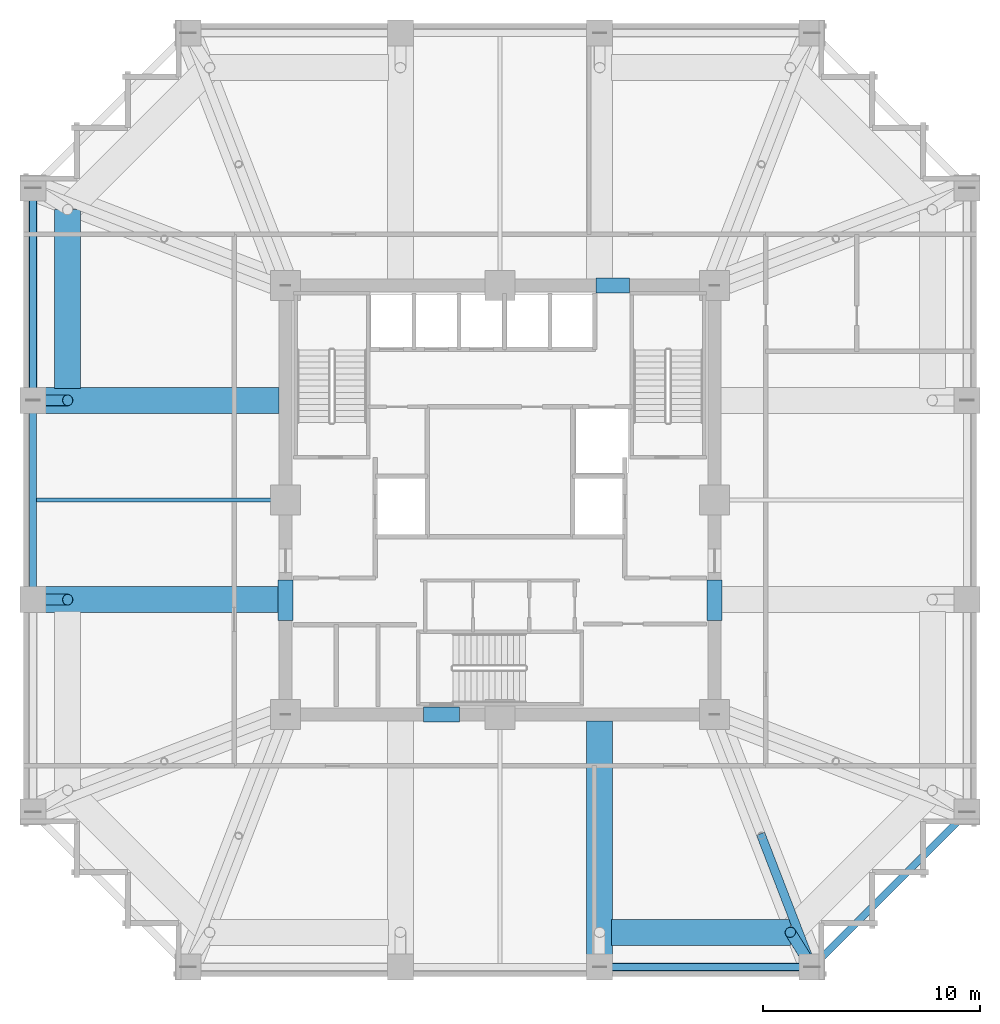
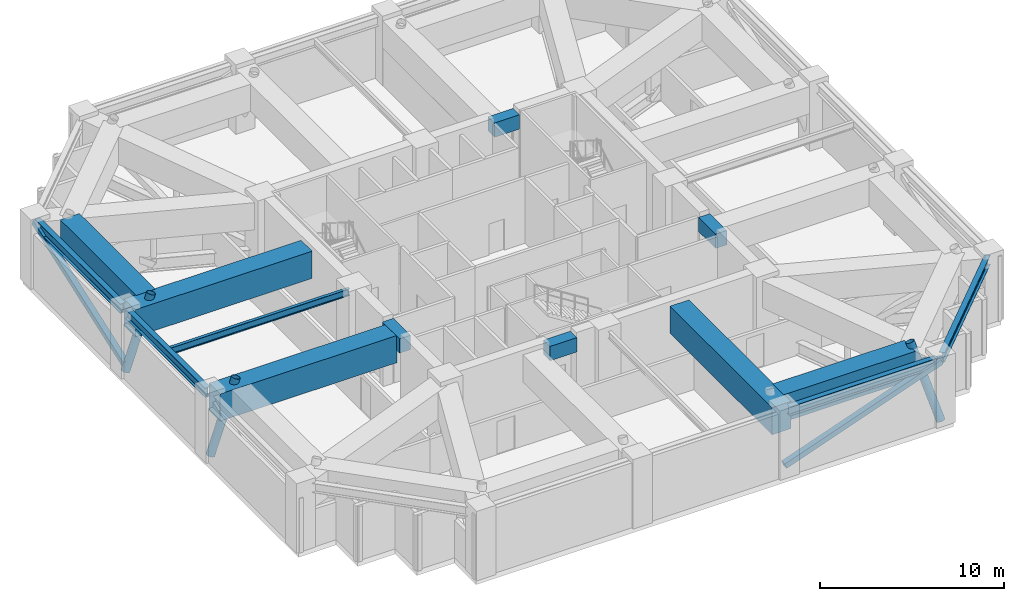
# One storey, part 3 of 15: 14 beams, 6 members.
"""IFC4 building model written with IfcOpenShell, lengths in metres."""

import ifcopenshell
import ifcopenshell.guid

model = None  # the IFC model being written
_history = None  # IfcOwnerHistory: only IFC2X3 demands one
_inside = {}  # id of a spatial element -> (the spatial element, [elements in it])
_under = {}  # id of a project, library or spatial element -> (it, [spatial elements below it])
_declared = {}  # id of a project -> (the project, [libraries it declares])
_typed = {}  # id of a type object -> (the type object, [elements of that type])
_made_of = {}  # id of a material, layer set ... -> (it, [elements and type objects made of it])


def new_model(schema):
    """Start an empty IFC model of exactly this schema.

    Asked for "IFC4X3", IfcOpenShell would pick the latest addendum, in which some entities
    have other attributes; the version numbers below select the first issue.
    IFC2X3 requires an IfcOwnerHistory on every rooted entity: one is made here for all.
    """
    global model, _history
    if schema == "IFC4X3":
        model = ifcopenshell.file(schema_version=(4, 3, 0, 0))
    else:
        model = ifcopenshell.file(schema=schema)
    _inside.clear()
    _under.clear()
    _declared.clear()
    _typed.clear()
    _made_of.clear()
    _history = None
    if model.schema == "IFC2X3":
        org = make("IfcOrganization", Name="unknown")
        user = make(
            "IfcPersonAndOrganization",
            ThePerson=make("IfcPerson", FamilyName="unknown"),
            TheOrganization=org,
        )
        app = make(
            "IfcApplication",
            ApplicationDeveloper=org,
            Version="unknown",
            ApplicationFullName="unknown",
            ApplicationIdentifier="unknown",
        )
        _history = make(
            "IfcOwnerHistory",
            OwningUser=user,
            OwningApplication=app,
            ChangeAction="ADDED",
            CreationDate=0,
        )
    return model


def make(cls, **values):
    """One entity of the class cls with the attributes given. An attribute that is None is left unset."""
    return model.create_entity(
        cls, **{name: value for name, value in values.items() if value is not None}
    )


def rooted(cls, **values):
    """An entity with a GlobalId (a new one), such as an element, a storey or a relation."""
    return make(cls, GlobalId=ifcopenshell.guid.new(), OwnerHistory=_history, **values)


def si_unit(unit_type, name, prefix=None):
    """IfcSIUnit, for example si_unit("LENGTHUNIT", "METRE", prefix="MILLI")."""
    return make("IfcSIUnit", UnitType=unit_type, Prefix=prefix, Name=name)


def assignment(units):
    """IfcUnitAssignment: the units of a project."""
    return None if units is None else make("IfcUnitAssignment", Units=units)


def point(xyz):
    """IfcCartesianPoint."""
    return None if xyz is None else make("IfcCartesianPoint", Coordinates=xyz)


def direction(xyz):
    """IfcDirection."""
    return None if xyz is None else make("IfcDirection", DirectionRatios=xyz)


def frame(location, z_axis=None, x_axis=None):
    """IfcAxis2Placement3D, a coordinate frame: its origin and axes. An axis left out is left unset."""
    return make(
        "IfcAxis2Placement3D",
        Location=point(location),
        Axis=direction(z_axis),
        RefDirection=direction(x_axis),
    )


def frame_2d(location, x_axis=None):
    """IfcAxis2Placement2D, a coordinate frame in the plane: its origin and x axis."""
    return make(
        "IfcAxis2Placement2D", Location=point(location), RefDirection=direction(x_axis)
    )


def origin():
    """The frame at (0, 0, 0) with its axes left unset."""
    return frame((0.0, 0.0, 0.0))


def origin_2d():
    """The frame at (0, 0) in the plane with its x axis left unset."""
    return frame_2d((0.0, 0.0))


def place(relative_to, where):
    """IfcLocalPlacement: puts the frame where relative to a parent placement (None: the world)."""
    return make(
        "IfcLocalPlacement", PlacementRelTo=relative_to, RelativePlacement=where
    )


def context(
    kind, dimensions, precision=None, world=None, true_north=None, identifier=None
):
    """IfcGeometricRepresentationContext, for example the 3D "Model" context."""
    return make(
        "IfcGeometricRepresentationContext",
        ContextIdentifier=identifier,
        ContextType=kind,
        CoordinateSpaceDimension=dimensions,
        Precision=precision,
        WorldCoordinateSystem=world,
        TrueNorth=true_north,
    )


def subcontext(parent, identifier, kind, view, scale=None):
    """IfcGeometricRepresentationSubContext, for example "Body" below "Model"."""
    return make(
        "IfcGeometricRepresentationSubContext",
        ContextIdentifier=identifier,
        ContextType=kind,
        ParentContext=parent,
        TargetScale=scale,
        TargetView=view,
    )


def project(units=None, contexts=None):
    """IfcProject with its units and contexts."""
    return rooted(
        "IfcProject",
        Name="project",
        RepresentationContexts=contexts,
        UnitsInContext=assignment(units),
    )


def spatial(cls, under=None, at=None, **own):
    """A site, building, storey or space (cls), placed at a placement, below another one or the project."""
    s = rooted(cls, ObjectPlacement=at, **own)
    if under is not None:
        _under.setdefault(under.id(), (under, []))[1].append(s)
    return s


def profile(cls, at=None, kind="AREA", **sizes):
    """A parametric profile (cls). Its sizes go by their IFC names, for example OverallWidth=200.0."""
    return make(cls, ProfileType=kind, Position=at, **sizes)


def rectangle(**sizes):
    """IfcRectangleProfileDef."""
    return profile("IfcRectangleProfileDef", **sizes)


def hollow_rectangle(**sizes):
    """IfcRectangleHollowProfileDef."""
    return profile("IfcRectangleHollowProfileDef", **sizes)


def hollow_circle(**sizes):
    """IfcCircleHollowProfileDef."""
    return profile("IfcCircleHollowProfileDef", **sizes)


def i_section(**sizes):
    """IfcIShapeProfileDef."""
    return profile("IfcIShapeProfileDef", **sizes)


def extrude(swept, where, along, depth):
    """IfcExtrudedAreaSolid: the profile swept, set in the frame where, extruded along a direction by depth."""
    return make(
        "IfcExtrudedAreaSolid",
        SweptArea=swept,
        Position=where,
        ExtrudedDirection=direction(along),
        Depth=depth,
    )


def shape(context_of_items, identifier, shape_type, items):
    """IfcShapeRepresentation: the items that make up one representation, for example the "Body"."""
    return make(
        "IfcShapeRepresentation",
        ContextOfItems=context_of_items,
        RepresentationIdentifier=identifier,
        RepresentationType=shape_type,
        Items=items,
    )


def material(Name=None, Category=None):
    """IfcMaterial."""
    return make("IfcMaterial", Name=Name, Category=Category)


def material_profile(
    of_material, cross_section, Name=None, Category=None, Priority=None
):
    """IfcMaterialProfile: a cross section and its material."""
    return make(
        "IfcMaterialProfile",
        Name=Name,
        Material=of_material,
        Profile=cross_section,
        Priority=Priority,
        Category=Category,
    )


def profile_set(profiles, Name=None, composite=None):
    """IfcMaterialProfileSet."""
    return make(
        "IfcMaterialProfileSet",
        Name=Name,
        MaterialProfiles=profiles,
        CompositeProfile=composite,
    )


def made_of(thing, what):
    """Note that an element or type object is made of a material, layer set ...; save() writes the relation."""
    if what is not None:
        _made_of.setdefault(what.id(), (what, []))[1].append(thing)
    return thing


def type_object(cls, material=None, **own):
    """A type object (cls), such as IfcWallType, which elements share."""
    return made_of(rooted(cls, **own), material)


def element(
    cls,
    number,
    at=None,
    inside=None,
    cuts=None,
    type_object=None,
    material=None,
    context=None,
    identifier="Body",
    shape_type=None,
    held_by="IfcProductDefinitionShape",
    body=None,
    shapes=None,
    **own,
):
    """One element of the class cls, such as IfcWall. Its Tag is "e" and its number.

    at: its placement. inside: the storey or other place that contains it. cuts: it is an
    opening in that element (IfcRelVoidsElement). A single representation is given by context,
    identifier, shape_type and body (its items); several are given by shapes. held_by: the class
    of the entity that holds the representations. save() writes the other relations.
    """
    e = rooted(cls, Tag="e%d" % number, ObjectPlacement=at, **own)
    if body is not None:
        shapes = [shape(context, identifier, shape_type, body)]
    if shapes is not None:
        e.Representation = make(held_by, Representations=shapes)
    if inside is not None:
        _inside.setdefault(inside.id(), (inside, []))[1].append(e)
    if cuts is not None:
        rooted(
            "IfcRelVoidsElement", RelatingBuildingElement=cuts, RelatedOpeningElement=e
        )
    if type_object is not None:
        _typed.setdefault(type_object.id(), (type_object, []))[1].append(e)
    return made_of(e, material)


def aggregate(whole, parts):
    """IfcRelAggregates: a whole, such as a stair, and the parts it consists of."""
    return rooted("IfcRelAggregates", RelatingObject=whole, RelatedObjects=parts)


def save(model, path):
    """Write the relations noted so far, then the file.

    IfcRelAggregates (storeys below a building ...), IfcRelContainedInSpatialStructure (elements
    in a storey), IfcRelDefinesByType, IfcRelAssociatesMaterial and IfcRelDeclares: one each for
    every whole, place, type object, material and project.
    """
    for whole, parts in _under.values():
        aggregate(whole, parts)
    for where, things in _inside.values():
        rooted(
            "IfcRelContainedInSpatialStructure",
            RelatedElements=things,
            RelatingStructure=where,
        )
    for kind, things in _typed.values():
        rooted("IfcRelDefinesByType", RelatedObjects=things, RelatingType=kind)
    for what, things in _made_of.values():
        rooted("IfcRelAssociatesMaterial", RelatedObjects=things, RelatingMaterial=what)
    for by, libraries in _declared.values():
        rooted("IfcRelDeclares", RelatingContext=by, RelatedDefinitions=libraries)
    model.write(path)


model = new_model("IFC4")

# Units and contexts
model_context = context("Model", 3, precision=1e-05, world=origin(), true_north=direction((0.0, 1.0)))
body_context = subcontext(model_context, "Body", "Model", "MODEL_VIEW")
ifc_project = project(units=[si_unit("LENGTHUNIT", "METRE"), si_unit("AREAUNIT", "SQUARE_METRE"), si_unit("VOLUMEUNIT", "CUBIC_METRE"), si_unit("PLANEANGLEUNIT", "RADIAN"), si_unit("MASSUNIT", "GRAM", prefix="KILO")], contexts=[model_context])

# Site, building, storey
site_placement = place(None, origin())
site = spatial("IfcSite", under=ifc_project, at=site_placement, CompositionType="ELEMENT")
building_placement = place(site_placement, origin())
building = spatial("IfcBuilding", under=site, at=building_placement, Name="Kolvaren Belvedere", CompositionType="ELEMENT")
storey_placement = place(building_placement, frame((0.0, 0.0, 63.39990234375)))
storey = spatial("IfcBuildingStorey", under=building, at=storey_placement, Name="L18", CompositionType="ELEMENT", Elevation=63.39990234375)

# Beams
ifc_material_1 = material(Name="Structural steel ASTM A992 Grade 50", Category="steel")
ifc_material_profile_1 = material_profile(ifc_material_1, i_section(OverallWidth=0.19091796875, OverallDepth=0.4599609375, WebThickness=0.010009765625, FlangeThickness=0.01611328125, FilletRadius=0.014892578125, at=origin_2d()), Name="W18X55")
ifc_profile_set_1 = profile_set([ifc_material_profile_1], Name="Structural steel ASTM A992 Grade 50")
beam_type_1 = type_object("IfcBeamType", Name="BM-JOIST-W18X55", PredefinedType="BEAM", material=ifc_profile_set_1)
beam_1_placement = place(storey_placement, frame((-10.199951171875, 0.0, 4.070068359375), z_axis=(-1.0, 0.0, 0.0), x_axis=(0.0, -1.0, 0.0)))
element("IfcBeam", 1, at=beam_1_placement, inside=storey, type_object=beam_type_1, Name="L18 West Centre Floor Beam", PredefinedType="BEAM", context=body_context, shape_type="SweptSolid", body=[
    extrude(i_section(OverallWidth=0.19091796875, OverallDepth=0.4599609375, WebThickness=0.010009765625, FlangeThickness=0.01611328125, FilletRadius=0.014892578125, at=origin_2d()), origin(), (0.0, 0.0, 1.0), 11.1875),
])
ifc_material_2 = material(Name="Concrete C60/75", Category="concrete")
ifc_material_profile_2 = material_profile(ifc_material_2, rectangle(XDim=0.699951171875, YDim=0.949951171875, at=origin_2d()), Name="RC 700X950")
ifc_profile_set_2 = profile_set([ifc_material_profile_2], Name="Concrete C60/75")
beam_type_2 = type_object("IfcBeamType", Name="BM-LINT-950", PredefinedType="LINTEL", material=ifc_profile_set_2)
beam_2_placement = place(storey_placement, frame((-3.5400390625, -9.89990234375, 3.8251953125), z_axis=(1.0, 0.0, 0.0), x_axis=(0.0, 1.0, 0.0)))
element("IfcBeam", 2, at=beam_2_placement, inside=storey, type_object=beam_type_2, Name="L18 South Core Coupling Lintel", PredefinedType="LINTEL", context=body_context, shape_type="SweptSolid", body=[
    extrude(rectangle(XDim=0.699951171875, YDim=0.949951171875, at=origin_2d()), origin(), (0.0, 0.0, 1.0), 1.679931640625),
])
beam_3_placement = place(storey_placement, frame((4.419921875, 9.89990234375, 3.8251953125), z_axis=(1.0, 0.0, 0.0), x_axis=(0.0, 1.0, 0.0)))
element("IfcBeam", 3, at=beam_3_placement, inside=storey, type_object=beam_type_2, Name="L18 North Core Coupling Lintel", PredefinedType="LINTEL", context=body_context, shape_type="SweptSolid", body=[
    extrude(rectangle(XDim=0.699951171875, YDim=0.949951171875, at=origin_2d()), origin(), (0.0, 0.0, 1.0), 1.56005859375),
])
for number, where, z_axis, x_axis, name in (
    (4, (-9.89990234375, -5.550048828125, 3.8251953125), (0.0, 1.0, 0.0), (-1.0, 0.0, 0.0), "L18 West Core Coupling Lintel"),
    (5, (9.89990234375, -5.550048828125, 3.8251953125), (0.0, 1.0, 0.0), (-1.0, 0.0, 0.0), "L18 East Core Coupling Lintel"),
):
    element("IfcBeam", number, at=place(storey_placement, frame(where, z_axis=z_axis, x_axis=x_axis)), inside=storey, type_object=beam_type_2, Name=name, PredefinedType="LINTEL", context=body_context, shape_type="SweptSolid", body=[
        extrude(rectangle(XDim=0.699951171875, YDim=0.949951171875, at=origin_2d()), origin(), (0.0, 0.0, 1.0), 1.85009765625),
    ])
ifc_material_3 = material(Name="Structural steel ASTM A992 Grade 50", Category="steel")
ifc_material_profile_3 = material_profile(ifc_material_3, i_section(OverallWidth=0.324951171875, OverallDepth=0.615966796875, WebThickness=0.013916015625, FlangeThickness=0.021484375, FilletRadius=0.02001953125, at=origin_2d()), Name="W24X117")
ifc_profile_set_3 = profile_set([ifc_material_profile_3], Name="Structural steel ASTM A992 Grade 50")
beam_type_3 = type_object("IfcBeamType", Name="BM-SPAN-W24X117", PredefinedType="SPANDREL", material=ifc_profile_set_3)
beam_4_placement = place(storey_placement, frame((4.8701171875, -21.550048828125, 3.9921875), z_axis=(1.0, 0.0, 0.0), x_axis=(0.0, 1.0, 0.0)))
element("IfcBeam", 6, at=beam_4_placement, inside=storey, type_object=beam_type_3, Name="L18 Perimeter Spandrel S3-S4", PredefinedType="SPANDREL", context=body_context, shape_type="SweptSolid", body=[
    extrude(i_section(OverallWidth=0.324951171875, OverallDepth=0.615966796875, WebThickness=0.013916015625, FlangeThickness=0.021484375, FilletRadius=0.02001953125, at=origin_2d()), origin(), (0.0, 0.0, 1.0), 9.259765625),
])
beam_5_placement = place(storey_placement, frame((14.5908203125, -21.359130859375, 3.9921875), z_axis=(0.707106781187, 0.707106781187, 0.0), x_axis=(-0.707106781187, 0.707106781187, 0.0)))
element("IfcBeam", 7, at=beam_5_placement, inside=storey, type_object=beam_type_3, Name="L18 Perimeter Spandrel S4-E1", PredefinedType="SPANDREL", context=body_context, shape_type="SweptSolid", body=[
    extrude(i_section(OverallWidth=0.324951171875, OverallDepth=0.615966796875, WebThickness=0.013916015625, FlangeThickness=0.021484375, FilletRadius=0.02001953125, at=origin_2d()), origin(), (0.0, 0.0, 1.0), 9.57177734375),
])
beam_6_placement = place(storey_placement, frame((-21.550048828125, 14.1298828125, 3.9921875), z_axis=(0.0, -1.0, 0.0), x_axis=(1.0, 0.0, 0.0)))
element("IfcBeam", 8, at=beam_6_placement, inside=storey, type_object=beam_type_3, Name="L18 Perimeter Spandrel W4-W3", PredefinedType="SPANDREL", context=body_context, shape_type="SweptSolid", body=[
    extrude(i_section(OverallWidth=0.324951171875, OverallDepth=0.615966796875, WebThickness=0.013916015625, FlangeThickness=0.021484375, FilletRadius=0.02001953125, at=origin_2d()), origin(), (0.0, 0.0, 1.0), 9.259765625),
])
beam_7_placement = place(storey_placement, frame((-21.550048828125, 4.330078125, 3.9921875), z_axis=(0.0, -1.0, 0.0), x_axis=(1.0, 0.0, 0.0)))
element("IfcBeam", 9, at=beam_7_placement, inside=storey, type_object=beam_type_3, Name="L18 Perimeter Spandrel W3-W2", PredefinedType="SPANDREL", context=body_context, shape_type="SweptSolid", body=[
    extrude(i_section(OverallWidth=0.324951171875, OverallDepth=0.615966796875, WebThickness=0.013916015625, FlangeThickness=0.021484375, FilletRadius=0.02001953125, at=origin_2d()), origin(), (0.0, 0.0, 1.0), 8.66015625),
])
ifc_material_4 = material(Name="Concrete C50/60", Category="concrete")
ifc_material_profile_4 = material_profile(ifc_material_4, rectangle(XDim=1.199951171875, YDim=1.800048828125, at=origin_2d()), Name="RC 1200X1800")
ifc_profile_set_4 = profile_set([ifc_material_profile_4], Name="Concrete C50/60")
beam_type_4 = type_object("IfcBeamType", Name="BM-TG-1800", PredefinedType="BEAM", material=ifc_profile_set_4)
for number, where, z_axis, x_axis, name in (
    (10, (5.14990234375, -19.949951171875, 3.400146484375), (1.0, 0.0, 0.0), (0.0, 1.0, 0.0), "L18 Step Transfer Ring Girder S3-S4"),
    (11, (-19.949951171875, 13.39990234375, 3.400146484375), (0.0, -1.0, 0.0), (1.0, 0.0, 0.0), "L18 Step Transfer Ring Girder W4-W3"),
):
    element("IfcBeam", number, at=place(storey_placement, frame(where, z_axis=z_axis, x_axis=x_axis)), inside=storey, type_object=beam_type_4, Name=name, PredefinedType="BEAM", context=body_context, shape_type="SweptSolid", body=[
        extrude(rectangle(XDim=1.199951171875, YDim=1.800048828125, at=origin_2d()), origin(), (0.0, 0.0, 1.0), 8.25),
    ])
for number, where, z_axis, x_axis, name in (
    (12, (4.60009765625, -10.199951171875, 3.400146484375), (0.0, -1.0, 0.0), (1.0, 0.0, 0.0), "L18 South Radial Girder P"),
    (13, (-10.199951171875, 4.60009765625, 3.400146484375), (-1.0, 0.0, 0.0), (0.0, -1.0, 0.0), "L18 West Radial Girder P"),
    (14, (-10.199951171875, -4.60009765625, 3.400146484375), (-1.0, 0.0, 0.0), (0.0, -1.0, 0.0), "L18 West Radial Girder M"),
):
    element("IfcBeam", number, at=place(storey_placement, frame(where, z_axis=z_axis, x_axis=x_axis)), inside=storey, type_object=beam_type_4, Name=name, PredefinedType="BEAM", context=body_context, shape_type="SweptSolid", body=[
        extrude(rectangle(XDim=1.199951171875, YDim=1.800048828125, at=origin_2d()), origin(), (0.0, 0.0, 1.0), 11.080078125),
    ])

# Members
ifc_material_5 = material(Name="Structural steel ASTM A500 Grade C", Category="steel")
ifc_material_profile_5 = material_profile(ifc_material_5, hollow_rectangle(XDim=0.35595703125, YDim=0.35595703125, WallThickness=0.01171875, at=origin_2d()), Name="HSS14X14X1/2")
ifc_profile_set_5 = profile_set([ifc_material_profile_5], Name="Structural steel ASTM A500 Grade C")
member_type_1 = type_object("IfcMemberType", Name="MB-BELT-BRACE", PredefinedType="BRACE", material=ifc_profile_set_5)
for number, where, z_axis, x_axis, name in (
    (15, (4.60009765625, -21.550048828125, 0.47998046875), (0.942643852008, 0.0, 0.333800192139), (0.0, 1.0, 0.0), "L18 Perimeter Belt Truss Brace BT-2"),
    (16, (-21.550048828125, 4.60009765625, 0.47998046875), (0.0, 0.942643852008, 0.333800192139), (-1.0, 0.0, 0.0), "L18 Perimeter Belt Truss Brace BT-6"),
):
    element("IfcMember", number, at=place(storey_placement, frame(where, z_axis=z_axis, x_axis=x_axis)), inside=storey, type_object=member_type_1, Name=name, PredefinedType="BRACE", context=body_context, shape_type="SweptSolid", body=[
        extrude(hollow_rectangle(XDim=0.35595703125, YDim=0.35595703125, WallThickness=0.01171875, at=origin_2d()), origin(), (0.0, 0.0, 1.0), 10.39599609375),
    ])
ifc_material_6 = material(Name="Structural steel ASTM A500 Grade C", Category="steel")
ifc_material_profile_6 = material_profile(ifc_material_6, hollow_rectangle(XDim=0.406005859375, YDim=0.406005859375, WallThickness=0.014892578125, at=origin_2d()), Name="HSS16X16X5/8")
ifc_profile_set_6 = profile_set([ifc_material_profile_6], Name="Structural steel ASTM A500 Grade C")
member_type_2 = type_object("IfcMemberType", Name="MB-OUTRIGGER", PredefinedType="BRACE", material=ifc_profile_set_6)
member_1_placement = place(storey_placement, frame((12.06005859375, -15.491943359375, 0.47998046875), z_axis=(0.317771909839, -0.822745426831, 0.471286511525), x_axis=(0.932838914997, 0.360293711668, 0.0)))
element("IfcMember", 17, at=member_1_placement, inside=storey, type_object=member_type_2, Name="L18 Outrigger Truss Diagonal OT-3A", PredefinedType="BRACE", context=body_context, shape_type="SweptSolid", body=[
    extrude(hollow_rectangle(XDim=0.406005859375, YDim=0.406005859375, WallThickness=0.014892578125, at=origin_2d()), origin(), (0.0, 0.0, 1.0), 7.36328125),
])
ifc_material_7 = material(Name="Structural steel ASTM A500 Grade C", Category="steel")
ifc_material_profile_7 = material_profile(ifc_material_7, hollow_circle(Radius=0.25390625, WallThickness=0.01171875, at=origin_2d()), Name="HSS20.000X0.500")
ifc_profile_set_7 = profile_set([ifc_material_profile_7], Name="Structural steel ASTM A500 Grade C")
member_type_3 = type_object("IfcMemberType", Name="MB-WAIST-STRUT", PredefinedType="STRUT", material=ifc_profile_set_7)
member_2_placement = place(storey_placement, frame((14.39990234375, -21.550048828125, 0.0), z_axis=(-0.201124570501, 0.321818953873, 0.925192665378), x_axis=(-0.84801284173, -0.529975678933, 0.0)))
element("IfcMember", 18, at=member_2_placement, inside=storey, type_object=member_type_3, Name="L18 Inclined Waist Transition Strut S4", PredefinedType="STRUT", context=body_context, shape_type="SweptSolid", body=[
    extrude(hollow_circle(Radius=0.25390625, WallThickness=0.01171875, at=origin_2d()), origin(), (0.0, 0.0, 1.0), 4.971923828125),
])
for number, where, z_axis, x_axis, name in (
    (19, (-21.550048828125, -4.60009765625, 0.0), (0.328532290219, 0.0, 0.944492739137), (0.0, 1.0, 0.0), "L18 Inclined Waist Transition Strut W2"),
    (20, (-21.550048828125, 4.60009765625, 0.0), (0.328532290219, 0.0, 0.944492739137), (0.0, 1.0, 0.0), "L18 Inclined Waist Transition Strut W3"),
):
    element("IfcMember", number, at=place(storey_placement, frame(where, z_axis=z_axis, x_axis=x_axis)), inside=storey, type_object=member_type_3, Name=name, PredefinedType="STRUT", context=body_context, shape_type="SweptSolid", body=[
        extrude(hollow_circle(Radius=0.25390625, WallThickness=0.01171875, at=origin_2d()), origin(), (0.0, 0.0, 1.0), 4.870361328125),
    ])

save(model, "model.ifc")
